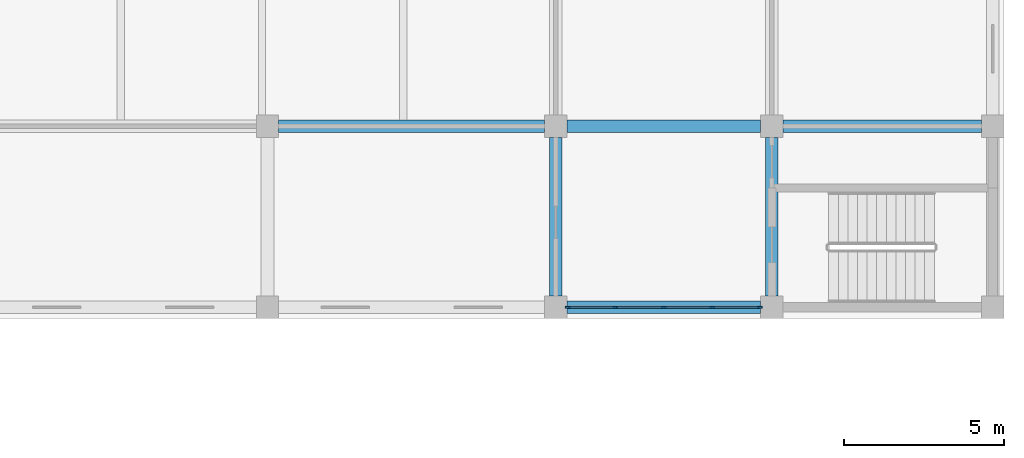
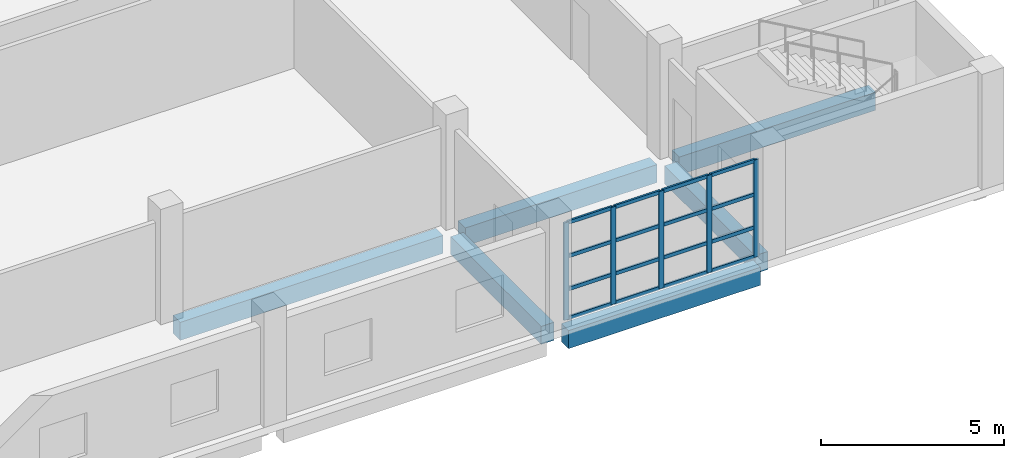
# One storey, part 4 of 31: 21 members, 6 beams, 1 element without a shape of its own.
"""IFC4 building model written with IfcOpenShell, lengths in metres."""

from ifc_helpers import new_model, si_unit, direction, frame, origin, origin_2d, place, context, subcontext, project, spatial, rectangle, extrude, material, layer, layer_set, material_profile, profile_set, type_object, element, aggregate, save


model = new_model("IFC4")

# Units and contexts
model_context = context("Model", 3, precision=1e-05, world=origin(), true_north=direction((0.0, 1.0)))
body_context = subcontext(model_context, "Body", "Model", "MODEL_VIEW")
ifc_project = project(units=[si_unit("LENGTHUNIT", "METRE"), si_unit("AREAUNIT", "SQUARE_METRE"), si_unit("VOLUMEUNIT", "CUBIC_METRE"), si_unit("PLANEANGLEUNIT", "RADIAN"), si_unit("MASSUNIT", "GRAM", prefix="KILO")], contexts=[model_context])

# Site, building, storey
site_placement = place(None, origin())
site = spatial("IfcSite", under=ifc_project, at=site_placement, CompositionType="ELEMENT")
building_placement = place(site_placement, origin())
building = spatial("IfcBuilding", under=site, at=building_placement, Name="Corbel Stack Research Tower", CompositionType="ELEMENT")
storey_placement = place(building_placement, frame((0.0, 0.0, 15.39990234375)))
storey = spatial("IfcBuildingStorey", under=building, at=storey_placement, Name="L03", CompositionType="ELEMENT", Elevation=15.39990234375)

# Curtain wall, members
ifc_material_1 = material(Name="Aluminium", Category="aluminium")
ifc_layer = layer(ifc_material_1, 0.14990234375)
ifc_layer_set = layer_set([ifc_layer], Name="Aluminium")
curtain_wall_type = type_object("IfcCurtainWallType", Name="CW5 main facade curtain wall", PredefinedType="NOTDEFINED", material=ifc_layer_set)
curtain_wall_placement = place(storey_placement, origin())
curtain_wall = element("IfcCurtainWall", 1, at=curtain_wall_placement, inside=storey, type_object=curtain_wall_type, Name="Main facade curtain wall L03 3", PredefinedType="NOTDEFINED")
ifc_material_2 = material(Name="Aluminium", Category="aluminium")
ifc_material_profile_1 = material_profile(ifc_material_2, rectangle(XDim=0.06005859375, YDim=0.159912109375, at=origin_2d()), Name="Mullion 60 x 160")
ifc_profile_set_1 = profile_set([ifc_material_profile_1], Name="Aluminium")
member_type_1 = type_object("IfcMemberType", Name="CW5 mullion 60 x 160", PredefinedType="MULLION", material=ifc_profile_set_1)
member_1_placement = place(storey_placement, frame((87.330078125, -23.64990234375, 0.0), z_axis=(0.0, 0.0, 1.0), x_axis=(0.0, 1.0, 0.0)))
member_1 = element("IfcMember", 2, at=member_1_placement, type_object=member_type_1, Name="CW5 mullion 1", PredefinedType="MULLION", context=body_context, shape_type="SweptSolid", body=[
    extrude(rectangle(XDim=0.06005859375, YDim=0.159912109375, at=origin_2d()), origin(), (0.0, 0.0, 1.0), 3.25),
])
member_2_placement = place(storey_placement, frame((88.8125, -23.64990234375, 0.0), z_axis=(0.0, 0.0, 1.0), x_axis=(0.0, 1.0, 0.0)))
member_2 = element("IfcMember", 3, at=member_2_placement, type_object=member_type_1, Name="CW5 mullion 2", PredefinedType="MULLION", context=body_context, shape_type="SweptSolid", body=[
    extrude(rectangle(XDim=0.06005859375, YDim=0.159912109375, at=origin_2d()), origin(), (0.0, 0.0, 1.0), 3.25),
])
member_3_placement = place(storey_placement, frame((90.324951171875, -23.64990234375, 0.0), z_axis=(0.0, 0.0, 1.0), x_axis=(0.0, 1.0, 0.0)))
member_3 = element("IfcMember", 4, at=member_3_placement, type_object=member_type_1, Name="CW5 mullion 3", PredefinedType="MULLION", context=body_context, shape_type="SweptSolid", body=[
    extrude(rectangle(XDim=0.06005859375, YDim=0.159912109375, at=origin_2d()), origin(), (0.0, 0.0, 1.0), 3.25),
])
member_4_placement = place(storey_placement, frame((91.83740234375, -23.64990234375, 0.0), z_axis=(0.0, 0.0, 1.0), x_axis=(0.0, 1.0, 0.0)))
member_4 = element("IfcMember", 5, at=member_4_placement, type_object=member_type_1, Name="CW5 mullion 4", PredefinedType="MULLION", context=body_context, shape_type="SweptSolid", body=[
    extrude(rectangle(XDim=0.06005859375, YDim=0.159912109375, at=origin_2d()), origin(), (0.0, 0.0, 1.0), 3.25),
])
member_5_placement = place(storey_placement, frame((93.320068359375, -23.64990234375, 0.0), z_axis=(0.0, 0.0, 1.0), x_axis=(0.0, 1.0, 0.0)))
member_5 = element("IfcMember", 6, at=member_5_placement, type_object=member_type_1, Name="CW5 mullion 5", PredefinedType="MULLION", context=body_context, shape_type="SweptSolid", body=[
    extrude(rectangle(XDim=0.06005859375, YDim=0.159912109375, at=origin_2d()), origin(), (0.0, 0.0, 1.0), 3.25),
])
ifc_material_3 = material(Name="Aluminium", Category="aluminium")
ifc_material_profile_2 = material_profile(ifc_material_3, rectangle(XDim=0.06005859375, YDim=0.1201171875, at=origin_2d()), Name="Transom 60 x 120")
ifc_profile_set_2 = profile_set([ifc_material_profile_2], Name="Aluminium")
member_type_2 = type_object("IfcMemberType", Name="CW5 transom 60 x 120", PredefinedType="USERDEFINED", material=ifc_profile_set_2)
member_6_placement = place(storey_placement, frame((87.360107421875, -23.64990234375, 0.030029296875), z_axis=(1.0, 0.0, 0.0), x_axis=(0.0, 1.0, 0.0)))
member_6 = element("IfcMember", 7, at=member_6_placement, type_object=member_type_2, Name="CW5 transom 1.1", ObjectType="TRANSOM", PredefinedType="USERDEFINED", context=body_context, shape_type="SweptSolid", body=[
    extrude(rectangle(XDim=0.06005859375, YDim=0.1201171875, at=origin_2d()), origin(), (0.0, 0.0, 1.0), 1.42236328125),
])
member_7_placement = place(storey_placement, frame((87.360107421875, -23.64990234375, 1.0), z_axis=(1.0, 0.0, 0.0), x_axis=(0.0, 1.0, 0.0)))
member_7 = element("IfcMember", 8, at=member_7_placement, type_object=member_type_2, Name="CW5 transom 1.2", ObjectType="TRANSOM", PredefinedType="USERDEFINED", context=body_context, shape_type="SweptSolid", body=[
    extrude(rectangle(XDim=0.06005859375, YDim=0.1201171875, at=origin_2d()), origin(), (0.0, 0.0, 1.0), 1.42236328125),
])
member_8_placement = place(storey_placement, frame((87.360107421875, -23.64990234375, 2.10009765625), z_axis=(1.0, 0.0, 0.0), x_axis=(0.0, 1.0, 0.0)))
member_8 = element("IfcMember", 9, at=member_8_placement, type_object=member_type_2, Name="CW5 transom 1.3", ObjectType="TRANSOM", PredefinedType="USERDEFINED", context=body_context, shape_type="SweptSolid", body=[
    extrude(rectangle(XDim=0.06005859375, YDim=0.1201171875, at=origin_2d()), origin(), (0.0, 0.0, 1.0), 1.42236328125),
])
member_9_placement = place(storey_placement, frame((87.360107421875, -23.64990234375, 3.22021484375), z_axis=(1.0, 0.0, 0.0), x_axis=(0.0, 1.0, 0.0)))
member_9 = element("IfcMember", 10, at=member_9_placement, type_object=member_type_2, Name="CW5 transom 1.4", ObjectType="TRANSOM", PredefinedType="USERDEFINED", context=body_context, shape_type="SweptSolid", body=[
    extrude(rectangle(XDim=0.06005859375, YDim=0.1201171875, at=origin_2d()), origin(), (0.0, 0.0, 1.0), 1.42236328125),
])
member_10_placement = place(storey_placement, frame((88.842529296875, -23.64990234375, 0.030029296875), z_axis=(1.0, 0.0, 0.0), x_axis=(0.0, 1.0, 0.0)))
member_10 = element("IfcMember", 11, at=member_10_placement, type_object=member_type_2, Name="CW5 transom 2.1", ObjectType="TRANSOM", PredefinedType="USERDEFINED", context=body_context, shape_type="SweptSolid", body=[
    extrude(rectangle(XDim=0.06005859375, YDim=0.1201171875, at=origin_2d()), origin(), (0.0, 0.0, 1.0), 1.452392578125),
])
member_11_placement = place(storey_placement, frame((88.842529296875, -23.64990234375, 1.0), z_axis=(1.0, 0.0, 0.0), x_axis=(0.0, 1.0, 0.0)))
member_11 = element("IfcMember", 12, at=member_11_placement, type_object=member_type_2, Name="CW5 transom 2.2", ObjectType="TRANSOM", PredefinedType="USERDEFINED", context=body_context, shape_type="SweptSolid", body=[
    extrude(rectangle(XDim=0.06005859375, YDim=0.1201171875, at=origin_2d()), origin(), (0.0, 0.0, 1.0), 1.452392578125),
])
member_12_placement = place(storey_placement, frame((88.842529296875, -23.64990234375, 2.10009765625), z_axis=(1.0, 0.0, 0.0), x_axis=(0.0, 1.0, 0.0)))
member_12 = element("IfcMember", 13, at=member_12_placement, type_object=member_type_2, Name="CW5 transom 2.3", ObjectType="TRANSOM", PredefinedType="USERDEFINED", context=body_context, shape_type="SweptSolid", body=[
    extrude(rectangle(XDim=0.06005859375, YDim=0.1201171875, at=origin_2d()), origin(), (0.0, 0.0, 1.0), 1.452392578125),
])
member_13_placement = place(storey_placement, frame((88.842529296875, -23.64990234375, 3.22021484375), z_axis=(1.0, 0.0, 0.0), x_axis=(0.0, 1.0, 0.0)))
member_13 = element("IfcMember", 14, at=member_13_placement, type_object=member_type_2, Name="CW5 transom 2.4", ObjectType="TRANSOM", PredefinedType="USERDEFINED", context=body_context, shape_type="SweptSolid", body=[
    extrude(rectangle(XDim=0.06005859375, YDim=0.1201171875, at=origin_2d()), origin(), (0.0, 0.0, 1.0), 1.452392578125),
])
member_14_placement = place(storey_placement, frame((90.35498046875, -23.64990234375, 0.030029296875), z_axis=(1.0, 0.0, 0.0), x_axis=(0.0, 1.0, 0.0)))
member_14 = element("IfcMember", 15, at=member_14_placement, type_object=member_type_2, Name="CW5 transom 3.1", ObjectType="TRANSOM", PredefinedType="USERDEFINED", context=body_context, shape_type="SweptSolid", body=[
    extrude(rectangle(XDim=0.06005859375, YDim=0.1201171875, at=origin_2d()), origin(), (0.0, 0.0, 1.0), 1.45263671875),
])
member_15_placement = place(storey_placement, frame((90.35498046875, -23.64990234375, 1.0), z_axis=(1.0, 0.0, 0.0), x_axis=(0.0, 1.0, 0.0)))
member_15 = element("IfcMember", 16, at=member_15_placement, type_object=member_type_2, Name="CW5 transom 3.2", ObjectType="TRANSOM", PredefinedType="USERDEFINED", context=body_context, shape_type="SweptSolid", body=[
    extrude(rectangle(XDim=0.06005859375, YDim=0.1201171875, at=origin_2d()), origin(), (0.0, 0.0, 1.0), 1.45263671875),
])
member_16_placement = place(storey_placement, frame((90.35498046875, -23.64990234375, 2.10009765625), z_axis=(1.0, 0.0, 0.0), x_axis=(0.0, 1.0, 0.0)))
member_16 = element("IfcMember", 17, at=member_16_placement, type_object=member_type_2, Name="CW5 transom 3.3", ObjectType="TRANSOM", PredefinedType="USERDEFINED", context=body_context, shape_type="SweptSolid", body=[
    extrude(rectangle(XDim=0.06005859375, YDim=0.1201171875, at=origin_2d()), origin(), (0.0, 0.0, 1.0), 1.45263671875),
])
member_17_placement = place(storey_placement, frame((90.35498046875, -23.64990234375, 3.22021484375), z_axis=(1.0, 0.0, 0.0), x_axis=(0.0, 1.0, 0.0)))
member_17 = element("IfcMember", 18, at=member_17_placement, type_object=member_type_2, Name="CW5 transom 3.4", ObjectType="TRANSOM", PredefinedType="USERDEFINED", context=body_context, shape_type="SweptSolid", body=[
    extrude(rectangle(XDim=0.06005859375, YDim=0.1201171875, at=origin_2d()), origin(), (0.0, 0.0, 1.0), 1.45263671875),
])
member_18_placement = place(storey_placement, frame((91.867431640625, -23.64990234375, 0.030029296875), z_axis=(1.0, 0.0, 0.0), x_axis=(0.0, 1.0, 0.0)))
member_18 = element("IfcMember", 19, at=member_18_placement, type_object=member_type_2, Name="CW5 transom 4.1", ObjectType="TRANSOM", PredefinedType="USERDEFINED", context=body_context, shape_type="SweptSolid", body=[
    extrude(rectangle(XDim=0.06005859375, YDim=0.1201171875, at=origin_2d()), origin(), (0.0, 0.0, 1.0), 1.422607421875),
])
member_19_placement = place(storey_placement, frame((91.867431640625, -23.64990234375, 1.0), z_axis=(1.0, 0.0, 0.0), x_axis=(0.0, 1.0, 0.0)))
member_19 = element("IfcMember", 20, at=member_19_placement, type_object=member_type_2, Name="CW5 transom 4.2", ObjectType="TRANSOM", PredefinedType="USERDEFINED", context=body_context, shape_type="SweptSolid", body=[
    extrude(rectangle(XDim=0.06005859375, YDim=0.1201171875, at=origin_2d()), origin(), (0.0, 0.0, 1.0), 1.422607421875),
])
member_20_placement = place(storey_placement, frame((91.867431640625, -23.64990234375, 2.10009765625), z_axis=(1.0, 0.0, 0.0), x_axis=(0.0, 1.0, 0.0)))
member_20 = element("IfcMember", 21, at=member_20_placement, type_object=member_type_2, Name="CW5 transom 4.3", ObjectType="TRANSOM", PredefinedType="USERDEFINED", context=body_context, shape_type="SweptSolid", body=[
    extrude(rectangle(XDim=0.06005859375, YDim=0.1201171875, at=origin_2d()), origin(), (0.0, 0.0, 1.0), 1.422607421875),
])
member_21_placement = place(storey_placement, frame((91.867431640625, -23.64990234375, 3.22021484375), z_axis=(1.0, 0.0, 0.0), x_axis=(0.0, 1.0, 0.0)))
member_21 = element("IfcMember", 22, at=member_21_placement, type_object=member_type_2, Name="CW5 transom 4.4", ObjectType="TRANSOM", PredefinedType="USERDEFINED", context=body_context, shape_type="SweptSolid", body=[
    extrude(rectangle(XDim=0.06005859375, YDim=0.1201171875, at=origin_2d()), origin(), (0.0, 0.0, 1.0), 1.422607421875),
])
aggregate(curtain_wall, [member_1, member_2, member_3, member_4, member_5, member_6, member_7, member_8, member_9, member_10, member_11, member_12, member_13, member_14, member_15, member_16, member_17, member_18, member_19, member_20, member_21])

# Beams
ifc_material_4 = material(Name="Concrete C40/50", Category="concrete")
ifc_material_profile_3 = material_profile(ifc_material_4, rectangle(XDim=0.39990234375, YDim=0.60009765625, at=origin_2d()), Name="RC 400 x 600")
ifc_profile_set_3 = profile_set([ifc_material_profile_3], Name="Concrete C40/50")
beam_type = type_object("IfcBeamType", Name="HB1 RC beam 400 x 600", PredefinedType="BEAM", material=ifc_profile_set_3)
beam_1_placement = place(storey_placement, frame((78.300048828125, -18.0, -0.5498046875), z_axis=(1.0, 0.0, 0.0), x_axis=(0.0, 1.0, 0.0)))
element("IfcBeam", 23, at=beam_1_placement, inside=storey, type_object=beam_type, Name="Floor beam L03 H6HB-H7HB", PredefinedType="BEAM", context=body_context, shape_type="SweptSolid", body=[
    extrude(rectangle(XDim=0.39990234375, YDim=0.60009765625, at=origin_2d()), origin(), (0.0, 0.0, 1.0), 8.300048828125),
])
beam_2_placement = place(storey_placement, frame((87.300048828125, -23.64990234375, -0.5498046875), z_axis=(1.0, 0.0, 0.0), x_axis=(0.0, 1.0, 0.0)))
element("IfcBeam", 24, at=beam_2_placement, inside=storey, type_object=beam_type, Name="Floor beam L03 H7HA-H8HA", PredefinedType="BEAM", context=body_context, shape_type="SweptSolid", body=[
    extrude(rectangle(XDim=0.39990234375, YDim=0.60009765625, at=origin_2d()), origin(), (0.0, 0.0, 1.0), 6.050048828125),
])
beam_3_placement = place(storey_placement, frame((86.949951171875, -23.300048828125, -0.5498046875), z_axis=(0.0, 1.0, 0.0), x_axis=(-1.0, 0.0, 0.0)))
element("IfcBeam", 25, at=beam_3_placement, inside=storey, type_object=beam_type, Name="Floor beam L03 H7HA-H7HB", PredefinedType="BEAM", context=body_context, shape_type="SweptSolid", body=[
    extrude(rectangle(XDim=0.39990234375, YDim=0.60009765625, at=origin_2d()), origin(), (0.0, 0.0, 1.0), 4.949951171875),
])
beam_4_placement = place(storey_placement, frame((87.300048828125, -18.0, -0.5498046875), z_axis=(1.0, 0.0, 0.0), x_axis=(0.0, 1.0, 0.0)))
element("IfcBeam", 26, at=beam_4_placement, inside=storey, type_object=beam_type, Name="Floor beam L03 H7HB-H8HB", PredefinedType="BEAM", context=body_context, shape_type="SweptSolid", body=[
    extrude(rectangle(XDim=0.39990234375, YDim=0.60009765625, at=origin_2d()), origin(), (0.0, 0.0, 1.0), 6.050048828125),
])
beam_5_placement = place(storey_placement, frame((93.699951171875, -23.300048828125, -0.5498046875), z_axis=(0.0, 1.0, 0.0), x_axis=(-1.0, 0.0, 0.0)))
element("IfcBeam", 27, at=beam_5_placement, inside=storey, type_object=beam_type, Name="Floor beam L03 H8HA-H8HB", PredefinedType="BEAM", context=body_context, shape_type="SweptSolid", body=[
    extrude(rectangle(XDim=0.39990234375, YDim=0.60009765625, at=origin_2d()), origin(), (0.0, 0.0, 1.0), 4.949951171875),
])
beam_6_placement = place(storey_placement, frame((94.050048828125, -18.0, -0.5498046875), z_axis=(1.0, 0.0, 0.0), x_axis=(0.0, 1.0, 0.0)))
element("IfcBeam", 28, at=beam_6_placement, inside=storey, type_object=beam_type, Name="Floor beam L03 H8HB-H9HB", PredefinedType="BEAM", context=body_context, shape_type="SweptSolid", body=[
    extrude(rectangle(XDim=0.39990234375, YDim=0.60009765625, at=origin_2d()), origin(), (0.0, 0.0, 1.0), 6.199951171875),
])

save(model, "model.ifc")
